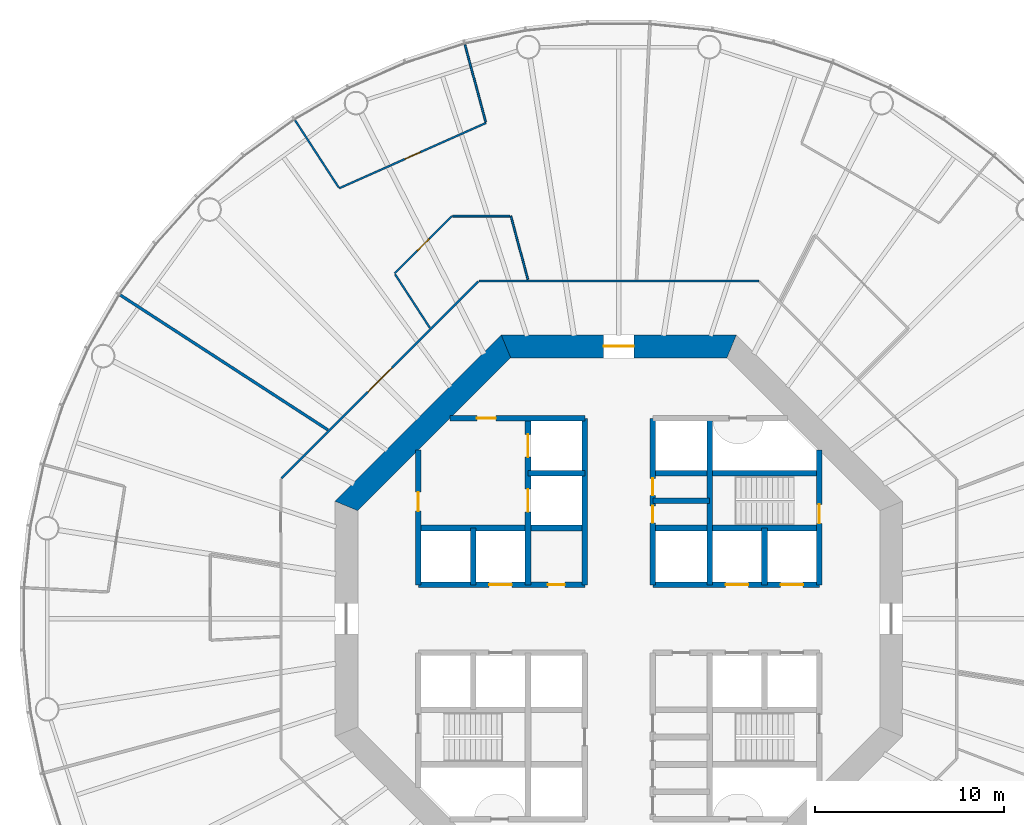
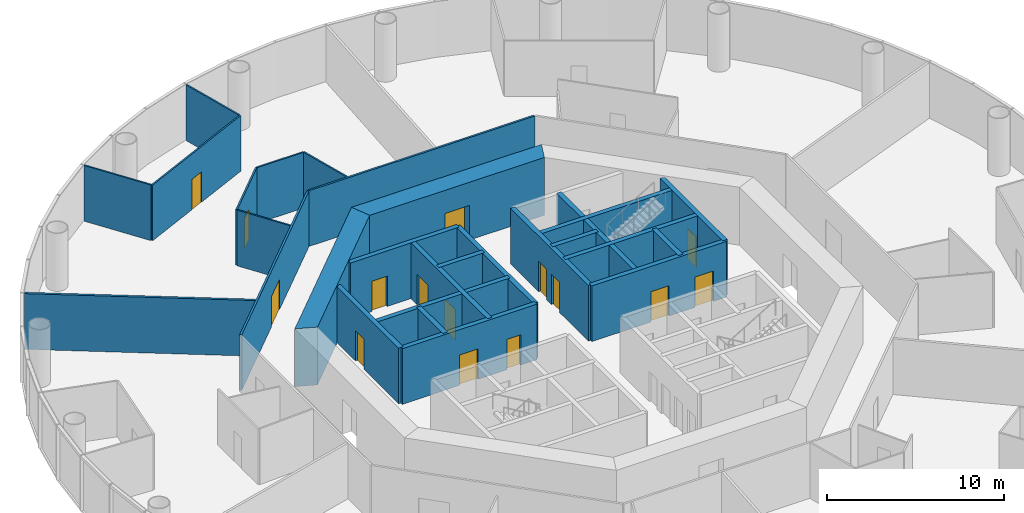
# One storey, part 5 of 13: 28 walls, 15 doors, 15 openings.
"""IFC4 building model written with IfcOpenShell, lengths in metres."""

from ifc_helpers import new_model, si_unit, direction, frame, frame_2d, origin, place, context, subcontext, project, spatial, polyline, rectangle, outline, extrude, material, layer, layer_set, type_object, element, fill, save


model = new_model("IFC4")

# Units and contexts
model_context = context("Model", 3, precision=1e-05, world=origin(), true_north=direction((0.0, 1.0)))
body_context = subcontext(model_context, "Body", "Model", "MODEL_VIEW")
ifc_project = project(units=[si_unit("LENGTHUNIT", "METRE"), si_unit("AREAUNIT", "SQUARE_METRE"), si_unit("VOLUMEUNIT", "CUBIC_METRE"), si_unit("PLANEANGLEUNIT", "RADIAN"), si_unit("MASSUNIT", "GRAM", prefix="KILO")], contexts=[model_context])

# Site, building, storey
site_placement = place(None, origin())
site = spatial("IfcSite", under=ifc_project, at=site_placement, CompositionType="ELEMENT")
building_placement = place(site_placement, origin())
building = spatial("IfcBuilding", under=site, at=building_placement, Name="Entoto Ring Tower", CompositionType="ELEMENT")
storey_placement = place(building_placement, frame((0.0, 0.0, 84.0)))
storey = spatial("IfcBuildingStorey", under=building, at=storey_placement, Name="L18", CompositionType="ELEMENT", Elevation=84.0)

# Wall, opening, door
ifc_material_1 = material(Name="Concrete C40/50", Category="concrete")
ifc_layer_1 = layer(ifc_material_1, 0.300048828125)
ifc_layer_set_1 = layer_set([ifc_layer_1], Name="Concrete C40/50")
wall_type_1 = type_object("IfcWallType", Name="Core enclosure wall 300 mm reinforced concrete", PredefinedType="SOLIDWALL", material=ifc_layer_set_1)
wall_1_placement = place(storey_placement, frame((100.60009765625, 81.800048828125, 0.0), z_axis=(0.0, 0.0, 1.0), x_axis=(0.0, 1.0, 0.0)))
wall_1 = element("IfcWall", 1, at=wall_1_placement, inside=storey, type_object=wall_type_1, Name="wall-L18-002", PredefinedType="SOLIDWALL", context=body_context, shape_type="SweptSolid", body=[
    extrude(rectangle(XDim=7.115966796875, YDim=0.300048828125, at=frame_2d((3.55810546875, 0.0))), origin(), (0.0, 0.0, 1.0), 3.85009765625),
])
opening_1_placement = place(wall_1_placement, frame((3.25, 0.0, 0.0)))
opening_1 = element("IfcOpeningElement", 2, at=opening_1_placement, cuts=wall_1, Name="Opening K-65", PredefinedType="OPENING", context=body_context, shape_type="SweptSolid", body=[
    extrude(rectangle(XDim=1.0, YDim=2.10009765625, at=frame_2d((0.5, 1.050048828125))), frame((0.0, 0.16015625, 0.0), z_axis=(0.0, -1.0, 0.0), x_axis=(1.0, 0.0, 0.0)), (0.0, 0.0, 1.0), 0.320068359375),
])
ifc_material_2 = material(Name="Steel door leaf, fire rated", Category="steel")
ifc_layer_2 = layer(ifc_material_2, 0.050048828125)
ifc_layer_set_2 = layer_set([ifc_layer_2], Name="Steel door leaf, fire rated")
door_type_1 = type_object("IfcDoorType", Name="Fire door FD60 1000 x 2100 single leaf", OperationType="NOTDEFINED", PredefinedType="DOOR", material=ifc_layer_set_2)
door_1_placement = place(opening_1_placement, origin())
door_1 = element("IfcDoor", 3, at=door_1_placement, inside=storey, type_object=door_type_1, Name="Door K-65", OperationType="SINGLE_SWING_RIGHT", OverallHeight=2.10009765625, OverallWidth=1.0, PredefinedType="DOOR", context=body_context, shape_type="SweptSolid", body=[
    extrude(rectangle(XDim=1.0, YDim=2.10009765625, at=frame_2d((0.5, 1.050048828125))), frame((0.0, 0.02490234375, 0.0), z_axis=(0.0, -1.0, 0.0), x_axis=(1.0, 0.0, 0.0)), (0.0, 0.0, 1.0), 0.050048828125),
])
fill(opening_1, door_1)

# Walls
wall_2_placement = place(storey_placement, frame((97.699951171875, 81.800048828125, 0.0), z_axis=(0.0, 0.0, 1.0), x_axis=(0.0, 1.0, 0.0)))
element("IfcWall", 4, at=wall_2_placement, inside=storey, type_object=wall_type_1, Name="wall-L18-004", PredefinedType="SOLIDWALL", context=body_context, shape_type="SweptSolid", body=[
    extrude(rectangle(XDim=3.0, YDim=0.300048828125, at=frame_2d((1.5, 0.0))), origin(), (0.0, 0.0, 1.0), 3.85009765625),
])
wall_3_placement = place(storey_placement, frame((94.800048828125, 81.800048828125, 0.0), z_axis=(0.0, 0.0, 1.0), x_axis=(0.0, 1.0, 0.0)))
element("IfcWall", 5, at=wall_3_placement, inside=storey, type_object=wall_type_1, Name="wall-L18-006", PredefinedType="SOLIDWALL", context=body_context, shape_type="SweptSolid", body=[
    extrude(rectangle(XDim=8.800048828125, YDim=0.300048828125, at=frame_2d((4.39990234375, 0.0))), origin(), (0.0, 0.0, 1.0), 3.85009765625),
])

# Wall, openings, doors
wall_4_placement = place(storey_placement, frame((91.800048828125, 81.800048828125, 0.0), z_axis=(0.0, 0.0, 1.0), x_axis=(0.0, 1.0, 0.0)))
wall_4 = element("IfcWall", 6, at=wall_4_placement, inside=storey, type_object=wall_type_1, Name="wall-L18-008", PredefinedType="SOLIDWALL", context=body_context, shape_type="SweptSolid", body=[
    extrude(rectangle(XDim=8.800048828125, YDim=0.300048828125, at=frame_2d((4.39990234375, 0.0))), origin(), (0.0, 0.0, 1.0), 3.85009765625),
])
opening_2_placement = place(wall_4_placement, frame((3.27490234375, 0.0, 0.0)))
opening_2 = element("IfcOpeningElement", 7, at=opening_2_placement, cuts=wall_4, Name="Opening K-11", PredefinedType="OPENING", context=body_context, shape_type="SweptSolid", body=[
    extrude(rectangle(XDim=0.89990234375, YDim=2.10009765625, at=frame_2d((0.449951171875, 1.050048828125))), frame((0.0, 0.16015625, 0.0), z_axis=(0.0, -1.0, 0.0), x_axis=(1.0, 0.0, 0.0)), (0.0, 0.0, 1.0), 0.320068359375),
])
opening_3_placement = place(wall_4_placement, frame((4.72509765625, 0.0, 0.0)))
opening_3 = element("IfcOpeningElement", 8, at=opening_3_placement, cuts=wall_4, Name="Opening K-12", PredefinedType="OPENING", context=body_context, shape_type="SweptSolid", body=[
    extrude(rectangle(XDim=0.89990234375, YDim=2.10009765625, at=frame_2d((0.449951171875, 1.050048828125))), frame((0.0, 0.16015625, 0.0), z_axis=(0.0, -1.0, 0.0), x_axis=(1.0, 0.0, 0.0)), (0.0, 0.0, 1.0), 0.320068359375),
])
ifc_material_3 = material(Name="Steel door leaf, fire rated", Category="steel")
ifc_layer_3 = layer(ifc_material_3, 0.050048828125)
ifc_layer_set_3 = layer_set([ifc_layer_3], Name="Steel door leaf, fire rated")
door_type_2 = type_object("IfcDoorType", Name="Core door 900 x 2100 single leaf", OperationType="NOTDEFINED", PredefinedType="DOOR", material=ifc_layer_set_3)
door_2_placement = place(opening_2_placement, origin())
door_2 = element("IfcDoor", 9, at=door_2_placement, inside=storey, type_object=door_type_2, Name="Door K-11", OperationType="SINGLE_SWING_RIGHT", OverallHeight=2.10009765625, OverallWidth=0.89990234375, PredefinedType="DOOR", context=body_context, shape_type="SweptSolid", body=[
    extrude(rectangle(XDim=0.89990234375, YDim=2.10009765625, at=frame_2d((0.449951171875, 1.050048828125))), frame((0.0, 0.02490234375, 0.0), z_axis=(0.0, -1.0, 0.0), x_axis=(1.0, 0.0, 0.0)), (0.0, 0.0, 1.0), 0.050048828125),
])
fill(opening_2, door_2)
door_3_placement = place(opening_3_placement, origin())
door_3 = element("IfcDoor", 10, at=door_3_placement, inside=storey, type_object=door_type_2, Name="Door K-12", OperationType="SINGLE_SWING_RIGHT", OverallHeight=2.10009765625, OverallWidth=0.89990234375, PredefinedType="DOOR", context=body_context, shape_type="SweptSolid", body=[
    extrude(rectangle(XDim=0.89990234375, YDim=2.10009765625, at=frame_2d((0.449951171875, 1.050048828125))), frame((0.0, 0.02490234375, 0.0), z_axis=(0.0, -1.0, 0.0), x_axis=(1.0, 0.0, 0.0)), (0.0, 0.0, 1.0), 0.050048828125),
])
fill(opening_3, door_3)

# Wall
wall_5_placement = place(storey_placement, frame((88.199951171875, 81.800048828125, 0.0), z_axis=(0.0, 0.0, 1.0), x_axis=(0.0, 1.0, 0.0)))
element("IfcWall", 11, at=wall_5_placement, inside=storey, type_object=wall_type_1, Name="wall-L18-010", PredefinedType="SOLIDWALL", context=body_context, shape_type="SweptSolid", body=[
    extrude(rectangle(XDim=8.800048828125, YDim=0.300048828125, at=frame_2d((4.39990234375, 0.0))), origin(), (0.0, 0.0, 1.0), 3.85009765625),
])

# Wall, openings, doors
wall_6_placement = place(storey_placement, frame((85.199951171875, 81.800048828125, 0.0), z_axis=(0.0, 0.0, 1.0), x_axis=(0.0, 1.0, 0.0)))
wall_6 = element("IfcWall", 12, at=wall_6_placement, inside=storey, type_object=wall_type_1, Name="wall-L18-012", PredefinedType="SOLIDWALL", context=body_context, shape_type="SweptSolid", body=[
    extrude(rectangle(XDim=8.800048828125, YDim=0.300048828125, at=frame_2d((4.39990234375, 0.0))), origin(), (0.0, 0.0, 1.0), 3.85009765625),
])
opening_4_placement = place(wall_6_placement, frame((3.85009765625, 0.0, 0.0)))
opening_4 = element("IfcOpeningElement", 13, at=opening_4_placement, cuts=wall_6, Name="Opening LD", PredefinedType="OPENING", context=body_context, shape_type="SweptSolid", body=[
    extrude(rectangle(XDim=1.199951171875, YDim=2.10009765625, at=frame_2d((0.60009765625, 1.050048828125))), frame((0.0, 0.16015625, 0.0), z_axis=(0.0, -1.0, 0.0), x_axis=(1.0, 0.0, 0.0)), (0.0, 0.0, 1.0), 0.320068359375),
])
opening_5_placement = place(wall_6_placement, frame((6.75, 0.0, 0.0)))
opening_5 = element("IfcOpeningElement", 14, at=opening_5_placement, cuts=wall_6, Name="Opening LD", PredefinedType="OPENING", context=body_context, shape_type="SweptSolid", body=[
    extrude(rectangle(XDim=1.199951171875, YDim=2.10009765625, at=frame_2d((0.60009765625, 1.050048828125))), frame((0.0, 0.16015625, 0.0), z_axis=(0.0, -1.0, 0.0), x_axis=(1.0, 0.0, 0.0)), (0.0, 0.0, 1.0), 0.320068359375),
])
ifc_material_4 = material(Name="Steel and glass door leaf", Category="steel")
ifc_layer_4 = layer(ifc_material_4, 0.050048828125)
ifc_layer_set_4 = layer_set([ifc_layer_4], Name="Steel and glass door leaf")
door_type_3 = type_object("IfcDoorType", Name="Landing door 1200 x 2100 sliding", OperationType="DOUBLE_DOOR_SLIDING", PredefinedType="DOOR", material=ifc_layer_set_4)
door_4_placement = place(opening_4_placement, origin())
door_4 = element("IfcDoor", 15, at=door_4_placement, inside=storey, type_object=door_type_3, Name="Landing door FF1", OperationType="SLIDING_TO_RIGHT", OverallHeight=2.10009765625, OverallWidth=1.199951171875, PredefinedType="DOOR", context=body_context, shape_type="SweptSolid", body=[
    extrude(rectangle(XDim=1.199951171875, YDim=2.10009765625, at=frame_2d((0.60009765625, 1.050048828125))), frame((0.0, 0.02490234375, 0.0), z_axis=(0.0, -1.0, 0.0), x_axis=(1.0, 0.0, 0.0)), (0.0, 0.0, 1.0), 0.050048828125),
])
fill(opening_4, door_4)
door_5_placement = place(opening_5_placement, origin())
door_5 = element("IfcDoor", 16, at=door_5_placement, inside=storey, type_object=door_type_3, Name="Landing door FF2", OperationType="SLIDING_TO_RIGHT", OverallHeight=2.10009765625, OverallWidth=1.199951171875, PredefinedType="DOOR", context=body_context, shape_type="SweptSolid", body=[
    extrude(rectangle(XDim=1.199951171875, YDim=2.10009765625, at=frame_2d((0.60009765625, 1.050048828125))), frame((0.0, 0.02490234375, 0.0), z_axis=(0.0, -1.0, 0.0), x_axis=(1.0, 0.0, 0.0)), (0.0, 0.0, 1.0), 0.050048828125),
])
fill(opening_5, door_5)

# Wall
wall_7_placement = place(storey_placement, frame((82.300048828125, 81.800048828125, 0.0), z_axis=(0.0, 0.0, 1.0), x_axis=(0.0, 1.0, 0.0)))
element("IfcWall", 17, at=wall_7_placement, inside=storey, type_object=wall_type_1, Name="wall-L18-014", PredefinedType="SOLIDWALL", context=body_context, shape_type="SweptSolid", body=[
    extrude(rectangle(XDim=3.0, YDim=0.300048828125, at=frame_2d((1.5, 0.0))), origin(), (0.0, 0.0, 1.0), 3.85009765625),
])

# Wall, opening, door
wall_8_placement = place(storey_placement, frame((79.39990234375, 81.800048828125, 0.0), z_axis=(0.0, 0.0, 1.0), x_axis=(0.0, 1.0, 0.0)))
wall_8 = element("IfcWall", 18, at=wall_8_placement, inside=storey, type_object=wall_type_1, Name="wall-L18-016", PredefinedType="SOLIDWALL", context=body_context, shape_type="SweptSolid", body=[
    extrude(rectangle(XDim=7.115966796875, YDim=0.300048828125, at=frame_2d((3.55810546875, 0.0))), origin(), (0.0, 0.0, 1.0), 3.85009765625),
])
opening_6_placement = place(wall_8_placement, frame((3.89990234375, 0.0, 0.0)))
opening_6 = element("IfcOpeningElement", 19, at=opening_6_placement, cuts=wall_8, Name="Opening K-26", PredefinedType="OPENING", context=body_context, shape_type="SweptSolid", body=[
    extrude(rectangle(XDim=1.0, YDim=2.10009765625, at=frame_2d((0.5, 1.050048828125))), frame((0.0, 0.16015625, 0.0), z_axis=(0.0, -1.0, 0.0), x_axis=(1.0, 0.0, 0.0)), (0.0, 0.0, 1.0), 0.320068359375),
])
door_6_placement = place(opening_6_placement, frame((1.0, 0.0, 0.0), z_axis=(0.0, 0.0, 1.0), x_axis=(-1.0, 0.0, 0.0)))
door_6 = element("IfcDoor", 20, at=door_6_placement, inside=storey, type_object=door_type_1, Name="Door K-26", OperationType="SINGLE_SWING_LEFT", OverallHeight=2.10009765625, OverallWidth=1.0, PredefinedType="DOOR", context=body_context, shape_type="SweptSolid", body=[
    extrude(rectangle(XDim=1.0, YDim=2.10009765625, at=frame_2d((0.5, 1.050048828125))), frame((0.0, 0.02490234375, 0.0), z_axis=(0.0, -1.0, 0.0), x_axis=(1.0, 0.0, 0.0)), (0.0, 0.0, 1.0), 0.050048828125),
])
fill(opening_6, door_6)

# Wall, openings, doors
wall_9_placement = place(storey_placement, frame((79.39990234375, 81.800048828125, 0.0), z_axis=(0.0, 0.0, 1.0), x_axis=(1.0, 0.0, 0.0)))
wall_9 = element("IfcWall", 21, at=wall_9_placement, inside=storey, type_object=wall_type_1, Name="wall-L18-027", PredefinedType="SOLIDWALL", context=body_context, shape_type="SweptSolid", body=[
    extrude(rectangle(XDim=8.800048828125, YDim=0.300048828125, at=frame_2d((4.39990234375, 0.0))), origin(), (0.0, 0.0, 1.0), 3.85009765625),
])
opening_7_placement = place(wall_9_placement, frame((3.75, 0.0, 0.0)))
opening_7 = element("IfcOpeningElement", 22, at=opening_7_placement, cuts=wall_9, Name="Opening LD", PredefinedType="OPENING", context=body_context, shape_type="SweptSolid", body=[
    extrude(rectangle(XDim=1.199951171875, YDim=2.10009765625, at=frame_2d((0.60009765625, 1.050048828125))), frame((0.0, 0.16015625, 0.0), z_axis=(0.0, -1.0, 0.0), x_axis=(1.0, 0.0, 0.0)), (0.0, 0.0, 1.0), 0.320068359375),
])
opening_8_placement = place(wall_9_placement, frame((6.85009765625, 0.0, 0.0)))
opening_8 = element("IfcOpeningElement", 23, at=opening_8_placement, cuts=wall_9, Name="Opening K-18", PredefinedType="OPENING", context=body_context, shape_type="SweptSolid", body=[
    extrude(rectangle(XDim=0.89990234375, YDim=2.10009765625, at=frame_2d((0.449951171875, 1.050048828125))), frame((0.0, 0.16015625, 0.0), z_axis=(0.0, -1.0, 0.0), x_axis=(1.0, 0.0, 0.0)), (0.0, 0.0, 1.0), 0.320068359375),
])
door_7_placement = place(opening_8_placement, frame((0.89990234375, 0.0, 0.0), z_axis=(0.0, 0.0, 1.0), x_axis=(-1.0, 0.0, 0.0)))
door_7 = element("IfcDoor", 24, at=door_7_placement, inside=storey, type_object=door_type_2, Name="Door K-18", OperationType="SINGLE_SWING_RIGHT", OverallHeight=2.10009765625, OverallWidth=0.89990234375, PredefinedType="DOOR", context=body_context, shape_type="SweptSolid", body=[
    extrude(rectangle(XDim=0.89990234375, YDim=2.10009765625, at=frame_2d((0.449951171875, 1.050048828125))), frame((0.0, 0.02490234375, 0.0), z_axis=(0.0, -1.0, 0.0), x_axis=(1.0, 0.0, 0.0)), (0.0, 0.0, 1.0), 0.050048828125),
])
fill(opening_8, door_7)
door_8_placement = place(opening_7_placement, origin())
door_8 = element("IfcDoor", 25, at=door_8_placement, inside=storey, type_object=door_type_3, Name="Landing door LB3-LR", OperationType="SLIDING_TO_RIGHT", OverallHeight=2.10009765625, OverallWidth=1.199951171875, PredefinedType="DOOR", context=body_context, shape_type="SweptSolid", body=[
    extrude(rectangle(XDim=1.199951171875, YDim=2.10009765625, at=frame_2d((0.60009765625, 1.050048828125))), frame((0.0, 0.02490234375, 0.0), z_axis=(0.0, -1.0, 0.0), x_axis=(1.0, 0.0, 0.0)), (0.0, 0.0, 1.0), 0.050048828125),
])
fill(opening_7, door_8)

wall_10_placement = place(storey_placement, frame((91.800048828125, 81.800048828125, 0.0), z_axis=(0.0, 0.0, 1.0), x_axis=(1.0, 0.0, 0.0)))
wall_10 = element("IfcWall", 26, at=wall_10_placement, inside=storey, type_object=wall_type_1, Name="wall-L18-028", PredefinedType="SOLIDWALL", context=body_context, shape_type="SweptSolid", body=[
    extrude(rectangle(XDim=8.800048828125, YDim=0.300048828125, at=frame_2d((4.39990234375, 0.0))), origin(), (0.0, 0.0, 1.0), 3.85009765625),
])
opening_9_placement = place(wall_10_placement, frame((3.85009765625, 0.0, 0.0)))
opening_9 = element("IfcOpeningElement", 27, at=opening_9_placement, cuts=wall_10, Name="Opening LD", PredefinedType="OPENING", context=body_context, shape_type="SweptSolid", body=[
    extrude(rectangle(XDim=1.199951171875, YDim=2.10009765625, at=frame_2d((0.60009765625, 1.050048828125))), frame((0.0, 0.16015625, 0.0), z_axis=(0.0, -1.0, 0.0), x_axis=(1.0, 0.0, 0.0)), (0.0, 0.0, 1.0), 0.320068359375),
])
opening_10_placement = place(wall_10_placement, frame((6.75, 0.0, 0.0)))
opening_10 = element("IfcOpeningElement", 28, at=opening_10_placement, cuts=wall_10, Name="Opening LD", PredefinedType="OPENING", context=body_context, shape_type="SweptSolid", body=[
    extrude(rectangle(XDim=1.199951171875, YDim=2.10009765625, at=frame_2d((0.60009765625, 1.050048828125))), frame((0.0, 0.16015625, 0.0), z_axis=(0.0, -1.0, 0.0), x_axis=(1.0, 0.0, 0.0)), (0.0, 0.0, 1.0), 0.320068359375),
])
door_9_placement = place(opening_9_placement, origin())
door_9 = element("IfcDoor", 29, at=door_9_placement, inside=storey, type_object=door_type_3, Name="Landing door LB1-LR", OperationType="SLIDING_TO_RIGHT", OverallHeight=2.10009765625, OverallWidth=1.199951171875, PredefinedType="DOOR", context=body_context, shape_type="SweptSolid", body=[
    extrude(rectangle(XDim=1.199951171875, YDim=2.10009765625, at=frame_2d((0.60009765625, 1.050048828125))), frame((0.0, 0.02490234375, 0.0), z_axis=(0.0, -1.0, 0.0), x_axis=(1.0, 0.0, 0.0)), (0.0, 0.0, 1.0), 0.050048828125),
])
fill(opening_9, door_9)
door_10_placement = place(opening_10_placement, origin())
door_10 = element("IfcDoor", 30, at=door_10_placement, inside=storey, type_object=door_type_3, Name="Landing door LB2-LR", OperationType="SLIDING_TO_RIGHT", OverallHeight=2.10009765625, OverallWidth=1.199951171875, PredefinedType="DOOR", context=body_context, shape_type="SweptSolid", body=[
    extrude(rectangle(XDim=1.199951171875, YDim=2.10009765625, at=frame_2d((0.60009765625, 1.050048828125))), frame((0.0, 0.02490234375, 0.0), z_axis=(0.0, -1.0, 0.0), x_axis=(1.0, 0.0, 0.0)), (0.0, 0.0, 1.0), 0.050048828125),
])
fill(opening_10, door_10)

# Walls
for number, where, z_axis, x_axis, name in (
    (31, (79.39990234375, 84.800048828125, 0.0), (0.0, 0.0, 1.0), (1.0, 0.0, 0.0), "wall-L18-029"),
    (32, (91.800048828125, 84.800048828125, 0.0), (0.0, 0.0, 1.0), (1.0, 0.0, 0.0), "wall-L18-030"),
):
    element("IfcWall", number, at=place(storey_placement, frame(where, z_axis=z_axis, x_axis=x_axis)), inside=storey, type_object=wall_type_1, Name=name, PredefinedType="SOLIDWALL", context=body_context, shape_type="SweptSolid", body=[
        extrude(rectangle(XDim=8.800048828125, YDim=0.300048828125, at=frame_2d((4.39990234375, 0.0))), origin(), (0.0, 0.0, 1.0), 3.85009765625),
    ])
for number, where, z_axis, x_axis, name in (
    (33, (91.800048828125, 86.25, 0.0), (0.0, 0.0, 1.0), (1.0, 0.0, 0.0), "wall-L18-031"),
    (34, (85.199951171875, 87.699951171875, 0.0), (0.0, 0.0, 1.0), (1.0, 0.0, 0.0), "wall-L18-032"),
):
    element("IfcWall", number, at=place(storey_placement, frame(where, z_axis=z_axis, x_axis=x_axis)), inside=storey, type_object=wall_type_1, Name=name, PredefinedType="SOLIDWALL", context=body_context, shape_type="SweptSolid", body=[
        extrude(rectangle(XDim=3.0, YDim=0.300048828125, at=frame_2d((1.5, 0.0))), origin(), (0.0, 0.0, 1.0), 3.85009765625),
    ])
wall_11_placement = place(storey_placement, frame((91.800048828125, 87.699951171875, 0.0), z_axis=(0.0, 0.0, 1.0), x_axis=(1.0, 0.0, 0.0)))
element("IfcWall", 35, at=wall_11_placement, inside=storey, type_object=wall_type_1, Name="wall-L18-033", PredefinedType="SOLIDWALL", context=body_context, shape_type="SweptSolid", body=[
    extrude(rectangle(XDim=8.800048828125, YDim=0.300048828125, at=frame_2d((4.39990234375, 0.0))), origin(), (0.0, 0.0, 1.0), 3.85009765625),
])

# Wall, opening, door
wall_12_placement = place(storey_placement, frame((81.083984375, 90.60009765625, 0.0), z_axis=(0.0, 0.0, 1.0), x_axis=(1.0, 0.0, 0.0)))
wall_12 = element("IfcWall", 36, at=wall_12_placement, inside=storey, type_object=wall_type_1, Name="wall-L18-034", PredefinedType="SOLIDWALL", context=body_context, shape_type="SweptSolid", body=[
    extrude(rectangle(XDim=7.115966796875, YDim=0.300048828125, at=frame_2d((3.55810546875, 0.0))), origin(), (0.0, 0.0, 1.0), 3.85009765625),
])
opening_11_placement = place(wall_12_placement, frame((1.416015625, 0.0, 0.0)))
opening_11 = element("IfcOpeningElement", 37, at=opening_11_placement, cuts=wall_12, Name="Opening K-27", PredefinedType="OPENING", context=body_context, shape_type="SweptSolid", body=[
    extrude(rectangle(XDim=1.0, YDim=2.10009765625, at=frame_2d((0.5, 1.050048828125))), frame((0.0, 0.16015625, 0.0), z_axis=(0.0, -1.0, 0.0), x_axis=(1.0, 0.0, 0.0)), (0.0, 0.0, 1.0), 0.320068359375),
])
door_11_placement = place(opening_11_placement, frame((1.0, 0.0, 0.0), z_axis=(0.0, 0.0, 1.0), x_axis=(-1.0, 0.0, 0.0)))
door_11 = element("IfcDoor", 38, at=door_11_placement, inside=storey, type_object=door_type_1, Name="Door K-27", OperationType="SINGLE_SWING_RIGHT", OverallHeight=2.10009765625, OverallWidth=1.0, PredefinedType="DOOR", context=body_context, shape_type="SweptSolid", body=[
    extrude(rectangle(XDim=1.0, YDim=2.10009765625, at=frame_2d((0.5, 1.050048828125))), frame((0.0, 0.02490234375, 0.0), z_axis=(0.0, -1.0, 0.0), x_axis=(1.0, 0.0, 0.0)), (0.0, 0.0, 1.0), 0.050048828125),
])
fill(opening_11, door_11)

ifc_material_5 = material(Name="Concrete C60/75", Category="concrete")
ifc_layer_5 = layer(ifc_material_5, 1.199951171875)
ifc_layer_set_5 = layer_set([ifc_layer_5], Name="Concrete C60/75")
wall_type_2 = type_object("IfcWallType", Name="Core shear wall 1200 mm reinforced concrete C60/75", PredefinedType="SHEAR", material=ifc_layer_set_5)
wall_13_placement = place(storey_placement, frame((95.964599609375, 94.39990234375, 0.0), z_axis=(0.0, 0.0, 1.0), x_axis=(-1.0, 0.0, 0.0)))
wall_13 = element("IfcWall", 39, at=wall_13_placement, inside=storey, type_object=wall_type_2, Name="wall-L18-core-2", PredefinedType="SHEAR", context=body_context, shape_type="SweptSolid", body=[
    extrude(outline(polyline([(-0.24853515625, -0.60009765625), (12.177734375, -0.60009765625), (11.6806640625, 0.60009765625), (0.24853515625, 0.60009765625), (-0.24853515625, -0.60009765625)])), origin(), (0.0, 0.0, 1.0), 4.0),
])
opening_12_placement = place(wall_13_placement, frame((5.164794921875, 0.0, 0.0)))
opening_12 = element("IfcOpeningElement", 40, at=opening_12_placement, cuts=wall_13, Name="Opening K-02", PredefinedType="OPENING", context=body_context, shape_type="SweptSolid", body=[
    extrude(rectangle(XDim=1.60009765625, YDim=2.39990234375, at=frame_2d((0.800048828125, 1.199951171875))), frame((0.0, 0.60986328125, 0.0), z_axis=(0.0, -1.0, 0.0), x_axis=(1.0, 0.0, 0.0)), (0.0, 0.0, 1.0), 1.219970703125),
])
ifc_material_6 = material(Name="Steel door leaf, fire rated", Category="steel")
ifc_layer_6 = layer(ifc_material_6, 0.050048828125)
ifc_layer_set_6 = layer_set([ifc_layer_6], Name="Steel door leaf, fire rated")
door_type_4 = type_object("IfcDoorType", Name="Entrance door FD60 1600 x 2400 double leaf", OperationType="DOUBLE_DOOR_SINGLE_SWING", PredefinedType="DOOR", material=ifc_layer_set_6)
door_12_placement = place(opening_12_placement, origin())
door_12 = element("IfcDoor", 41, at=door_12_placement, inside=storey, type_object=door_type_4, Name="Entrance door K-02", OperationType="DOUBLE_DOOR_SINGLE_SWING", OverallHeight=2.39990234375, OverallWidth=1.60009765625, PredefinedType="DOOR", context=body_context, shape_type="SweptSolid", body=[
    extrude(rectangle(XDim=1.60009765625, YDim=2.39990234375, at=frame_2d((0.800048828125, 1.199951171875))), frame((0.0, 0.02490234375, 0.0), z_axis=(0.0, -1.0, 0.0), x_axis=(1.0, 0.0, 0.0)), (0.0, 0.0, 1.0), 0.050048828125),
])
fill(opening_12, door_12)

# Walls
wall_14_placement = place(storey_placement, frame((84.035400390625, 94.39990234375, 0.0), z_axis=(0.0, 0.0, 1.0), x_axis=(-0.707106781187, -0.707106781187, 0.0)))
element("IfcWall", 42, at=wall_14_placement, inside=storey, type_object=wall_type_2, Name="wall-L18-core-3", PredefinedType="SHEAR", context=body_context, shape_type="SweptSolid", body=[
    extrude(outline(polyline([(-0.24853515625, -0.60009765625), (12.177734375, -0.60009765625), (11.6806640625, 0.60009765625), (0.24853515625, 0.60009765625), (-0.24853515625, -0.60009765625)])), origin(), (0.0, 0.0, 1.0), 4.0),
])
ifc_material_7 = material(Name="Fire-resisting plasterboard on steel studs", Category="steel")
ifc_layer_7 = layer(ifc_material_7, 0.125)
ifc_layer_set_7 = layer_set([ifc_layer_7], Name="Fire-resisting plasterboard on steel studs")
wall_type_3 = type_object("IfcWallType", Name="Corridor wall 125 mm one-hour plasterboard on steel studs", PredefinedType="PARTITIONING", material=ifc_layer_set_7)
wall_15_placement = place(storey_placement, frame((82.60107421875, 97.862548828125, 0.0), z_axis=(0.0, 0.0, 1.0), x_axis=(1.0, 0.0, 0.0)))
element("IfcWall", 43, at=wall_15_placement, inside=storey, type_object=wall_type_3, Name="partition-L18-003", PredefinedType="PARTITIONING", context=body_context, shape_type="SweptSolid", body=[
    extrude(rectangle(XDim=14.7978515625, YDim=0.125, at=frame_2d((7.39892578125, 0.0))), origin(), (0.0, 0.0, 1.0), 3.85009765625),
])

# Wall, opening, door
wall_16_placement = place(storey_placement, frame((72.168701171875, 87.429931640625, 0.0), z_axis=(0.0, 0.0, 1.0), x_axis=(0.707106781187, 0.707106781187, 0.0)))
wall_16 = element("IfcWall", 44, at=wall_16_placement, inside=storey, type_object=wall_type_3, Name="partition-L18-005", PredefinedType="PARTITIONING", context=body_context, shape_type="SweptSolid", body=[
    extrude(rectangle(XDim=14.709716796875, YDim=0.125, at=frame_2d((7.35498046875, 0.0))), origin(), (0.0, 0.0, 1.0), 3.85009765625),
])
opening_13_placement = place(wall_16_placement, frame((6.454833984375, 0.0, 0.0)))
opening_13 = element("IfcOpeningElement", 45, at=opening_13_placement, cuts=wall_16, Name="Opening A08-D07", PredefinedType="OPENING", context=body_context, shape_type="SweptSolid", body=[
    extrude(rectangle(XDim=1.800048828125, YDim=2.10009765625, at=frame_2d((0.89990234375, 1.050048828125))), frame((0.0, 0.072509765625, 0.0), z_axis=(0.0, -1.0, 0.0), x_axis=(1.0, 0.0, 0.0)), (0.0, 0.0, 1.0), 0.14501953125),
])
ifc_material_8 = material(Name="Fire-resisting timber door set", Category="wood")
door_type_5 = type_object("IfcDoorType", Name="Door 1800 x 2100 double leaf FD30S fire door", OperationType="DOUBLE_DOOR_SINGLE_SWING", PredefinedType="DOOR", material=ifc_material_8)
door_13_placement = place(opening_13_placement, origin())
door_13 = element("IfcDoor", 46, at=door_13_placement, inside=storey, type_object=door_type_5, Name="Door A08-D07", OperationType="DOUBLE_DOOR_SINGLE_SWING", OverallHeight=2.10009765625, OverallWidth=1.800048828125, PredefinedType="DOOR", context=body_context, shape_type="SweptSolid", body=[
    extrude(rectangle(XDim=1.800048828125, YDim=2.10009765625, at=frame_2d((0.89990234375, 1.050048828125))), frame((0.0, 0.02490234375, 0.0), z_axis=(0.0, -1.0, 0.0), x_axis=(1.0, 0.0, 0.0)), (0.0, 0.0, 1.0), 0.050048828125),
])
fill(opening_13, door_13)

ifc_material_9 = material(Name="Plasterboard on steel studs", Category="steel")
ifc_layer_8 = layer(ifc_material_9, 0.10009765625)
ifc_layer_set_8 = layer_set([ifc_layer_8], Name="Plasterboard on steel studs")
wall_type_4 = type_object("IfcWallType", Name="Partition 100 mm plasterboard on steel studs", PredefinedType="PARTITIONING", material=ifc_layer_set_8)
wall_17_placement = place(storey_placement, frame((75.218505859375, 102.761474609375, 0.0), z_axis=(0.0, 0.0, 1.0), x_axis=(0.913548139396, 0.406730619705, 0.0)))
wall_17 = element("IfcWall", 47, at=wall_17_placement, inside=storey, type_object=wall_type_4, Name="partition-L18-016", PredefinedType="PARTITIONING", context=body_context, shape_type="SweptSolid", body=[
    extrude(rectangle(XDim=8.4912109375, YDim=0.10009765625, at=frame_2d((4.24560546875, 0.0))), origin(), (0.0, 0.0, 1.0), 3.85009765625),
])
opening_14_placement = place(wall_17_placement, frame((3.795654296875, 0.0, 0.0)))
opening_14 = element("IfcOpeningElement", 48, at=opening_14_placement, cuts=wall_17, Name="Opening A08-D09", PredefinedType="OPENING", context=body_context, shape_type="SweptSolid", body=[
    extrude(rectangle(XDim=0.89990234375, YDim=2.10009765625, at=frame_2d((0.449951171875, 1.050048828125))), frame((0.0, 0.06005859375, 0.0), z_axis=(0.0, -1.0, 0.0), x_axis=(1.0, 0.0, 0.0)), (0.0, 0.0, 1.0), 0.1201171875),
])
ifc_material_10 = material(Name="Veneered timber door leaf in timber frame", Category="wood")
door_type_6 = type_object("IfcDoorType", Name="Door 900 x 2100 single leaf timber veneer", OperationType="NOTDEFINED", PredefinedType="DOOR", material=ifc_material_10)
door_14_placement = place(opening_14_placement, origin())
door_14 = element("IfcDoor", 49, at=door_14_placement, inside=storey, type_object=door_type_6, Name="Door A08-D09", OperationType="SINGLE_SWING_LEFT", OverallHeight=2.10009765625, OverallWidth=0.89990234375, PredefinedType="DOOR", context=body_context, shape_type="SweptSolid", body=[
    extrude(rectangle(XDim=0.89990234375, YDim=2.10009765625, at=frame_2d((0.449951171875, 1.050048828125))), frame((0.0, 0.02490234375, 0.0), z_axis=(0.0, -1.0, 0.0), x_axis=(1.0, 0.0, 0.0)), (0.0, 0.0, 1.0), 0.050048828125),
])
fill(opening_14, door_14)

# Walls
wall_18_placement = place(storey_placement, frame((75.191650390625, 102.802978515625, 0.0), z_axis=(0.0, 0.0, 1.0), x_axis=(-0.544653187242, 0.838661377212, 0.0)))
element("IfcWall", 50, at=wall_18_placement, inside=storey, type_object=wall_type_4, Name="partition-L18-035", PredefinedType="PARTITIONING", context=body_context, shape_type="SweptSolid", body=[
    extrude(rectangle(XDim=4.250732421875, YDim=0.10009765625, at=frame_2d((2.12548828125, 0.0))), origin(), (0.0, 0.0, 1.0), 3.85009765625),
])
wall_19_placement = place(storey_placement, frame((82.962890625, 106.262939453125, 0.0), z_axis=(0.0, 0.0, 1.0), x_axis=(-0.258813602013, 0.965927284744, 0.0)))
element("IfcWall", 51, at=wall_19_placement, inside=storey, type_object=wall_type_4, Name="partition-L18-036", PredefinedType="PARTITIONING", context=body_context, shape_type="SweptSolid", body=[
    extrude(rectangle(XDim=4.25048828125, YDim=0.10009765625, at=frame_2d((2.125244140625, 0.0))), origin(), (0.0, 0.0, 1.0), 3.85009765625),
])

# Wall, opening, door
wall_20_placement = place(storey_placement, frame((78.144287109375, 98.25634765625, 0.0), z_axis=(0.0, 0.0, 1.0), x_axis=(0.707106781187, 0.707106781187, 0.0)))
wall_20 = element("IfcWall", 52, at=wall_20_placement, inside=storey, type_object=wall_type_4, Name="partition-L18-037", PredefinedType="PARTITIONING", context=body_context, shape_type="SweptSolid", body=[
    extrude(rectangle(XDim=4.293701171875, YDim=0.10009765625, at=frame_2d((2.14697265625, 0.0))), origin(), (0.0, 0.0, 1.0), 3.85009765625),
])
opening_15_placement = place(wall_20_placement, frame((1.697021484375, 0.0, 0.0)))
opening_15 = element("IfcOpeningElement", 53, at=opening_15_placement, cuts=wall_20, Name="Opening A08-D08", PredefinedType="OPENING", context=body_context, shape_type="SweptSolid", body=[
    extrude(rectangle(XDim=0.89990234375, YDim=2.10009765625, at=frame_2d((0.449951171875, 1.050048828125))), frame((0.0, 0.06005859375, 0.0), z_axis=(0.0, -1.0, 0.0), x_axis=(1.0, 0.0, 0.0)), (0.0, 0.0, 1.0), 0.1201171875),
])
door_15_placement = place(opening_15_placement, frame((0.89990234375, 0.0, 0.0), z_axis=(0.0, 0.0, 1.0), x_axis=(-1.0, 0.0, 0.0)))
door_15 = element("IfcDoor", 54, at=door_15_placement, inside=storey, type_object=door_type_6, Name="Door A08-D08", OperationType="SINGLE_SWING_RIGHT", OverallHeight=2.10009765625, OverallWidth=0.89990234375, PredefinedType="DOOR", context=body_context, shape_type="SweptSolid", body=[
    extrude(rectangle(XDim=0.89990234375, YDim=2.10009765625, at=frame_2d((0.449951171875, 1.050048828125))), frame((0.0, 0.02490234375, 0.0), z_axis=(0.0, -1.0, 0.0), x_axis=(1.0, 0.0, 0.0)), (0.0, 0.0, 1.0), 0.050048828125),
])
fill(opening_15, door_15)

# Walls
wall_21_placement = place(storey_placement, frame((85.193603515625, 97.937744140625, 0.0), z_axis=(0.0, 0.0, 1.0), x_axis=(-0.2588262692, 0.965923890569, 0.0)))
element("IfcWall", 55, at=wall_21_placement, inside=storey, type_object=wall_type_4, Name="partition-L18-045", PredefinedType="PARTITIONING", context=body_context, shape_type="SweptSolid", body=[
    extrude(rectangle(XDim=3.47314453125, YDim=0.10009765625, at=frame_2d((1.736572265625, 0.0))), origin(), (0.0, 0.0, 1.0), 3.85009765625),
])
wall_22_placement = place(storey_placement, frame((80.013427734375, 95.377685546875, 0.0), z_axis=(0.0, 0.0, 1.0), x_axis=(-0.544585008018, 0.838705651013, 0.0)))
element("IfcWall", 56, at=wall_22_placement, inside=storey, type_object=wall_type_4, Name="partition-L18-047", PredefinedType="PARTITIONING", context=body_context, shape_type="SweptSolid", body=[
    extrude(rectangle(XDim=3.38330078125, YDim=0.10009765625, at=frame_2d((1.691650390625, 0.0))), origin(), (0.0, 0.0, 1.0), 3.85009765625),
])
wall_23_placement = place(storey_placement, frame((81.215576171875, 101.29248046875, 0.0), z_axis=(0.0, 0.0, 1.0), x_axis=(1.0, 0.0, 0.0)))
element("IfcWall", 57, at=wall_23_placement, inside=storey, type_object=wall_type_4, Name="partition-L18-049", PredefinedType="PARTITIONING", context=body_context, shape_type="SweptSolid", body=[
    extrude(rectangle(XDim=3.031005859375, YDim=0.10009765625, at=frame_2d((1.515625, 0.0))), origin(), (0.0, 0.0, 1.0), 3.85009765625),
])
ifc_material_11 = material(Name="Fire-resisting acoustic plasterboard on steel studs", Category="steel")
ifc_layer_9 = layer(ifc_material_11, 0.14990234375)
ifc_layer_set_9 = layer_set([ifc_layer_9], Name="Fire-resisting acoustic plasterboard on steel studs")
wall_type_5 = type_object("IfcWallType", Name="Party wall 150 mm one-hour acoustic plasterboard on steel studs", PredefinedType="PARTITIONING", material=ifc_layer_set_9)
wall_24_placement = place(storey_placement, frame((74.61767578125, 89.989501953125, 0.0), z_axis=(0.0, 0.0, 1.0), x_axis=(-0.838673917758, 0.544633876721, 0.0)))
element("IfcWall", 58, at=wall_24_placement, inside=storey, type_object=wall_type_5, Name="partition-L18-012", PredefinedType="PARTITIONING", context=body_context, shape_type="SweptSolid", body=[
    extrude(rectangle(XDim=13.098876953125, YDim=0.14990234375, at=frame_2d((6.54931640625, 0.0))), origin(), (0.0, 0.0, 1.0), 3.85009765625),
])

save(model, "model.ifc")
